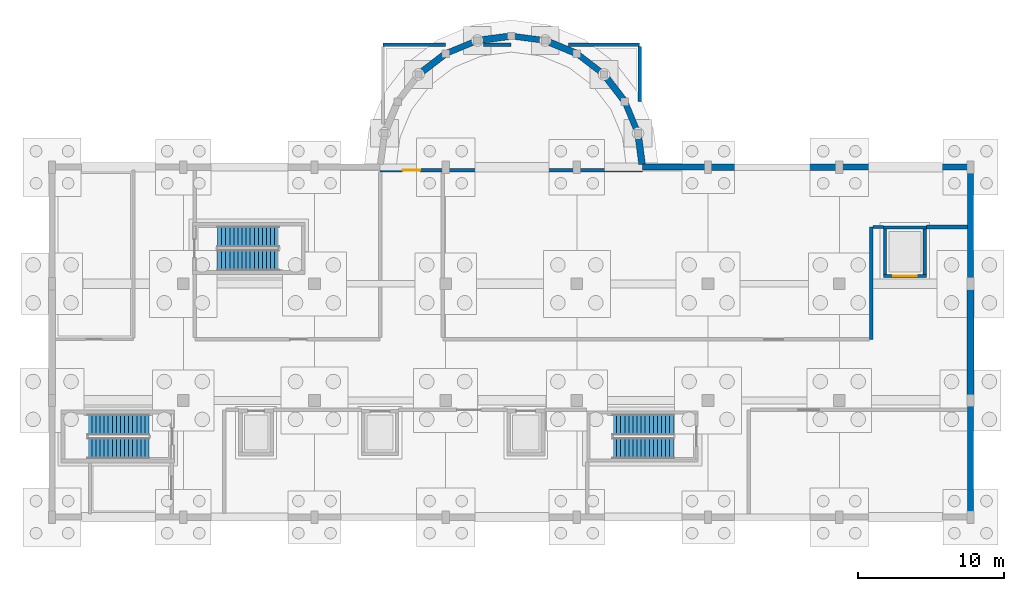
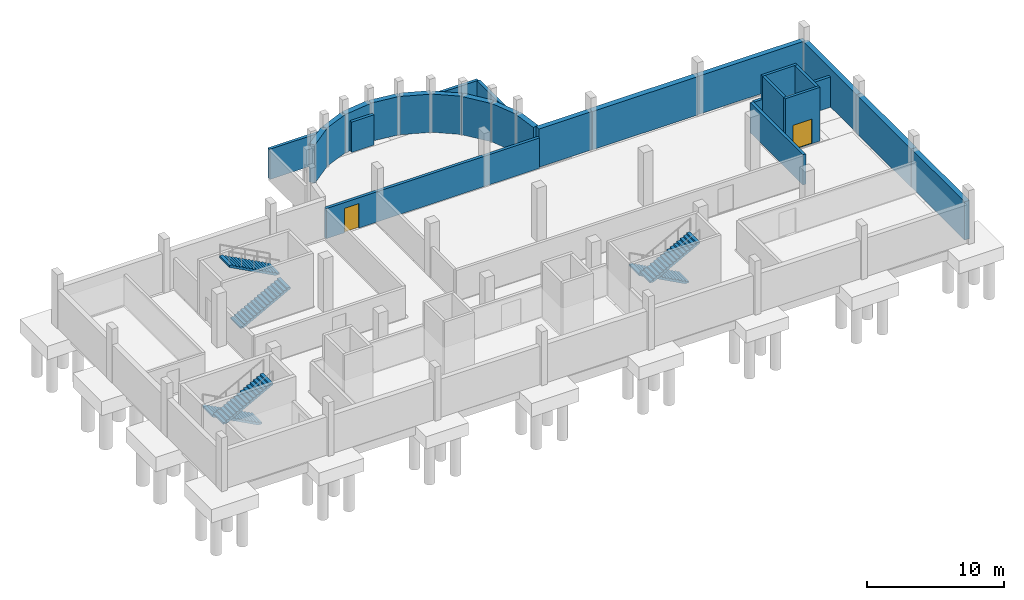
# One storey, part 5 of 10: 27 walls, 6 stair flights, 2 doors, 2 openings, 3 elements without a shape of their own.
"""IFC4 building model written with IfcOpenShell, lengths in metres."""

from ifc_helpers import new_model, si_unit, direction, frame, frame_2d, origin, place, context, subcontext, project, spatial, polyline, rectangle, outline, extrude, material, layer, layer_set, type_object, element, fill, aggregate, save


model = new_model("IFC4")

# Units and contexts
model_context = context("Model", 3, precision=1e-05, world=origin(), true_north=direction((0.0, 1.0)))
body_context = subcontext(model_context, "Body", "Model", "MODEL_VIEW")
ifc_project = project(units=[si_unit("LENGTHUNIT", "METRE"), si_unit("AREAUNIT", "SQUARE_METRE"), si_unit("VOLUMEUNIT", "CUBIC_METRE"), si_unit("PLANEANGLEUNIT", "RADIAN"), si_unit("MASSUNIT", "GRAM", prefix="KILO")], contexts=[model_context])

# Site, building, storey
site_placement = place(None, origin())
site = spatial("IfcSite", under=ifc_project, at=site_placement, CompositionType="ELEMENT")
building_placement = place(site_placement, origin())
building = spatial("IfcBuilding", under=site, at=building_placement, Name="Serraforn Aerial Cableway Station", CompositionType="ELEMENT")
storey_placement = place(building_placement, frame((0.0, 0.0, -4.800048828125)))
storey = spatial("IfcBuildingStorey", under=building, at=storey_placement, Name="B1", CompositionType="ELEMENT", Elevation=-4.800048828125)

# Wall, opening, door
ifc_material_1 = material(Name="Concrete C35/45", Category="concrete")
ifc_layer_1 = layer(ifc_material_1, 0.219970703125)
ifc_layer_set_1 = layer_set([ifc_layer_1], Name="Concrete C35/45")
wall_type_1 = type_object("IfcWallType", Name="WL-COR-220", PredefinedType="SHEAR", material=ifc_layer_set_1)
wall_1_placement = place(storey_placement, frame((84.6298828125, 34.5400390625, 0.0), z_axis=(0.0, 0.0, 1.0), x_axis=(1.0, 0.0, 0.0)))
wall_1 = element("IfcWall", 1, at=wall_1_placement, inside=storey, type_object=wall_type_1, Name="Lift Shaft Shear Wall WLFT-LF-05-B1-S", PredefinedType="SHEAR", context=body_context, shape_type="SweptSolid", body=[
    extrude(rectangle(XDim=2.940185546875, YDim=0.219970703125, at=frame_2d((1.47021484375, 0.0))), origin(), (0.0, 0.0, 1.0), 4.800048828125),
])
opening_1_placement = place(wall_1_placement, frame((0.669921875, 0.0, 0.0)))
opening_1 = element("IfcOpeningElement", 2, at=opening_1_placement, cuts=wall_1, Name="Opening LD-18", PredefinedType="OPENING", context=body_context, shape_type="SweptSolid", body=[
    extrude(rectangle(XDim=1.60009765625, YDim=2.199951171875, at=frame_2d((0.800048828125, 1.10009765625))), frame((0.0, 0.119873046875, 0.0), z_axis=(0.0, -1.0, 0.0), x_axis=(1.0, 0.0, 0.0)), (0.0, 0.0, 1.0), 0.239990234375),
])
ifc_material_2 = material(Name="Brushed stainless-steel sliding lift landing door", Category="steel")
door_type_1 = type_object("IfcDoorType", Name="DR-LIFT-160", OperationType="DOUBLE_DOOR_SLIDING", PredefinedType="DOOR", material=ifc_material_2)
door_1_placement = place(opening_1_placement, origin())
door_1 = element("IfcDoor", 3, at=door_1_placement, inside=storey, type_object=door_type_1, Name="Sliding Lift Landing Door LD-18 (LF-05 B1)", OperationType="DOUBLE_DOOR_SLIDING", OverallHeight=2.199951171875, OverallWidth=1.60009765625, PredefinedType="DOOR", context=body_context, shape_type="SweptSolid", body=[
    extrude(rectangle(XDim=1.60009765625, YDim=2.199951171875, at=frame_2d((0.800048828125, 1.10009765625))), frame((0.0, 0.02490234375, 0.0), z_axis=(0.0, -1.0, 0.0), x_axis=(1.0, 0.0, 0.0)), (0.0, 0.0, 1.0), 0.050048828125),
])
fill(opening_1, door_1)

# Walls
wall_2_placement = place(storey_placement, frame((84.6298828125, 37.860107421875, 0.0), z_axis=(0.0, 0.0, 1.0), x_axis=(1.0, 0.0, 0.0)))
element("IfcWall", 4, at=wall_2_placement, inside=storey, type_object=wall_type_1, Name="Lift Shaft Shear Wall WLFT-LF-05-B1-N", PredefinedType="SHEAR", context=body_context, shape_type="SweptSolid", body=[
    extrude(rectangle(XDim=2.940185546875, YDim=0.219970703125, at=frame_2d((1.47021484375, 0.0))), origin(), (0.0, 0.0, 1.0), 4.800048828125),
])
for number, where, z_axis, x_axis, name in (
    (5, (84.739990234375, 34.64990234375, 0.0), (0.0, 0.0, 1.0), (0.0, 1.0, 0.0), "Lift Shaft Shear Wall WLFT-LF-05-B1-W"),
    (6, (87.4599609375, 34.64990234375, 0.0), (0.0, 0.0, 1.0), (0.0, 1.0, 0.0), "Lift Shaft Shear Wall WLFT-LF-05-B1-E"),
):
    element("IfcWall", number, at=place(storey_placement, frame(where, z_axis=z_axis, x_axis=x_axis)), inside=storey, type_object=wall_type_1, Name=name, PredefinedType="SHEAR", context=body_context, shape_type="SweptSolid", body=[
        extrude(rectangle(XDim=3.10009765625, YDim=0.219970703125, at=frame_2d((1.550048828125, 0.0))), origin(), (0.0, 0.0, 1.0), 4.800048828125),
    ])
ifc_material_3 = material(Name="Concrete C30/37", Category="concrete")
ifc_layer_2 = layer(ifc_material_3, 0.241943359375)
ifc_layer_set_2 = layer_set([ifc_layer_2], Name="Concrete C30/37")
wall_type_2 = type_object("IfcWallType", Name="WL-FIR-242", PredefinedType="SOLIDWALL", material=ifc_layer_set_2)
wall_3_placement = place(storey_placement, frame((50.300048828125, 50.39990234375, 0.0), z_axis=(0.0, 0.0, 1.0), x_axis=(1.0, 0.0, 0.0)))
element("IfcWall", 7, at=wall_3_placement, inside=storey, type_object=wall_type_2, Name="Interior Partition WPRT-B1-08-8", PredefinedType="SOLIDWALL", context=body_context, shape_type="SweptSolid", body=[
    extrude(rectangle(XDim=4.280029296875, YDim=0.241943359375, at=frame_2d((2.14013671875, 0.0))), origin(), (0.0, 0.0, 1.0), 2.699951171875),
])
wall_4_placement = place(storey_placement, frame((63.031494140625, 50.39990234375, 0.0), z_axis=(0.0, 0.0, 1.0), x_axis=(1.0, 0.0, 0.0)))
element("IfcWall", 8, at=wall_4_placement, inside=storey, type_object=wall_type_2, Name="Interior Partition WPRT-B1-08-10", PredefinedType="SOLIDWALL", context=body_context, shape_type="SweptSolid", body=[
    extrude(rectangle(XDim=4.868408203125, YDim=0.241943359375, at=frame_2d((2.43408203125, 0.0))), origin(), (0.0, 0.0, 1.0), 2.699951171875),
])

# Wall, opening, door
wall_5_placement = place(storey_placement, frame((68.09912109375, 41.800048828125, 0.0), z_axis=(0.0, 0.0, 1.0), x_axis=(-1.0, 0.0, 0.0)))
wall_5 = element("IfcWall", 9, at=wall_5_placement, inside=storey, type_object=wall_type_2, Name="Interior Partition WPRT-B1-08-12", PredefinedType="SOLIDWALL", context=body_context, shape_type="SweptSolid", body=[
    extrude(rectangle(XDim=17.9990234375, YDim=0.241943359375, at=frame_2d((8.99951171875, 0.0))), origin(), (0.0, 0.0, 1.0), 2.699951171875),
])
opening_2_placement = place(wall_5_placement, frame((15.2490234375, 0.0, 0.0)))
opening_2 = element("IfcOpeningElement", 10, at=opening_2_placement, cuts=wall_5, Name="Opening DI-003", PredefinedType="OPENING", context=body_context, shape_type="SweptSolid", body=[
    extrude(rectangle(XDim=1.199951171875, YDim=2.179931640625, at=frame_2d((0.60009765625, 1.08984375))), frame((0.0, 0.130859375, 0.0), z_axis=(0.0, -1.0, 0.0), x_axis=(1.0, 0.0, 0.0)), (0.0, 0.0, 1.0), 0.261962890625),
])
ifc_material_4 = material(Name="Fire-rated steel-core acoustic leaf", Category="steel")
door_type_2 = type_object("IfcDoorType", Name="DR-INT-120", OperationType="NOTDEFINED", PredefinedType="DOOR", material=ifc_material_4)
door_2_placement = place(opening_2_placement, origin())
door_2 = element("IfcDoor", 11, at=door_2_placement, inside=storey, type_object=door_type_2, Name="Room Door DI-003 (B1-08)", OperationType="SINGLE_SWING_RIGHT", OverallHeight=2.179931640625, OverallWidth=1.199951171875, PredefinedType="DOOR", context=body_context, shape_type="SweptSolid", body=[
    extrude(rectangle(XDim=1.199951171875, YDim=2.179931640625, at=frame_2d((0.60009765625, 1.08984375))), frame((0.0, 0.02490234375, 0.0), z_axis=(0.0, -1.0, 0.0), x_axis=(1.0, 0.0, 0.0)), (0.0, 0.0, 1.0), 0.050048828125),
])
fill(opening_2, door_2)

# Walls
wall_6_placement = place(storey_placement, frame((90.39404296875, 37.89990234375, 0.0), z_axis=(0.0, 0.0, 1.0), x_axis=(-1.0, 0.0, 0.0)))
element("IfcWall", 12, at=wall_6_placement, inside=storey, type_object=wall_type_2, Name="Interior Partition WPRT-B1-02-14", PredefinedType="SOLIDWALL", context=body_context, shape_type="SweptSolid", body=[
    extrude(rectangle(XDim=2.822998046875, YDim=0.241943359375, at=frame_2d((1.41162109375, 0.0))), origin(), (0.0, 0.0, 1.0), 2.699951171875),
])
wall_7_placement = place(storey_placement, frame((83.800048828125, 37.89990234375, 0.0), z_axis=(0.0, 0.0, 1.0), x_axis=(0.0, -1.0, 0.0)))
element("IfcWall", 13, at=wall_7_placement, inside=storey, type_object=wall_type_2, Name="Interior Partition WPRT-B1-02-16", PredefinedType="SOLIDWALL", context=body_context, shape_type="SweptSolid", body=[
    extrude(rectangle(XDim=7.699951171875, YDim=0.241943359375, at=frame_2d((3.85009765625, 0.0))), origin(), (0.0, 0.0, 1.0), 2.699951171875),
])
ifc_material_5 = material(Name="Acoustic masonry blockwork", Category="masonry")
ifc_layer_3 = layer(ifc_material_5, 0.235107421875)
ifc_layer_set_3 = layer_set([ifc_layer_3], Name="Acoustic masonry blockwork")
wall_type_3 = type_object("IfcWallType", Name="WL-PRT-235", PredefinedType="PARTITIONING", material=ifc_layer_set_3)
wall_8_placement = place(storey_placement, frame((57.1982421875, 50.39990234375, 0.0), z_axis=(0.0, 0.0, 1.0), x_axis=(1.0, 0.0, 0.0)))
element("IfcWall", 14, at=wall_8_placement, inside=storey, type_object=wall_type_3, Name="Interior Partition WPRT-B1-08-9", PredefinedType="PARTITIONING", context=body_context, shape_type="SweptSolid", body=[
    extrude(rectangle(XDim=1.8818359375, YDim=0.235107421875, at=frame_2d((0.94091796875, 0.0))), origin(), (0.0, 0.0, 1.0), 2.699951171875),
])
wall_9_placement = place(storey_placement, frame((67.89990234375, 50.278076171875, 0.0), z_axis=(0.0, 0.0, 1.0), x_axis=(0.0, -1.0, 0.0)))
element("IfcWall", 15, at=wall_9_placement, inside=storey, type_object=wall_type_3, Name="Interior Partition WPRT-B1-08-11", PredefinedType="PARTITIONING", context=body_context, shape_type="SweptSolid", body=[
    extrude(rectangle(XDim=3.758056640625, YDim=0.235107421875, at=frame_2d((1.87890625, 0.0))), origin(), (0.0, 0.0, 1.0), 2.699951171875),
])
wall_10_placement = place(storey_placement, frame((84.62890625, 37.89990234375, 0.0), z_axis=(0.0, 0.0, 1.0), x_axis=(-1.0, 0.0, 0.0)))
element("IfcWall", 16, at=wall_10_placement, inside=storey, type_object=wall_type_3, Name="Interior Partition WPRT-B1-02-15", PredefinedType="PARTITIONING", context=body_context, shape_type="SweptSolid", body=[
    extrude(rectangle(XDim=0.706787109375, YDim=0.235107421875, at=frame_2d((0.353515625, 0.0))), origin(), (0.0, 0.0, 1.0), 2.699951171875),
])
ifc_layer_4 = layer(ifc_material_1, 0.409912109375)
ifc_layer_set_4 = layer_set([ifc_layer_4], Name="Concrete C35/45")
wall_type_4 = type_object("IfcWallType", Name="WL-RET-410", PredefinedType="USERDEFINED", material=ifc_layer_set_4)
wall_11_placement = place(storey_placement, frame((72.60009765625, 42.0, 0.0), z_axis=(0.0, 0.0, 1.0), x_axis=(-1.0, 0.0, 0.0)))
element("IfcWall", 17, at=wall_11_placement, inside=storey, type_object=wall_type_4, Name="Exterior Wall WRET-CV-B1-N5", ObjectType="RETAININGWALL", PredefinedType="USERDEFINED", context=body_context, shape_type="SweptSolid", body=[
    extrude(rectangle(XDim=4.5, YDim=0.409912109375, at=frame_2d((2.25, 0.0))), origin(), (0.0, 0.0, 1.0), 3.420166015625),
])
wall_12_placement = place(storey_placement, frame((90.60009765625, 42.0, 0.0), z_axis=(0.0, 0.0, 1.0), x_axis=(-1.0, 0.0, 0.0)))
element("IfcWall", 18, at=wall_12_placement, inside=storey, type_object=wall_type_4, Name="Exterior Wall WRET-CV-B1-N7", ObjectType="RETAININGWALL", PredefinedType="USERDEFINED", context=body_context, shape_type="SweptSolid", body=[
    extrude(rectangle(XDim=9.0, YDim=0.409912109375, at=frame_2d((4.5, 0.0))), origin(), (0.0, 0.0, 1.0), 3.420166015625),
])
for number, where, z_axis, x_axis, name in (
    (19, (90.60009765625, 18.2060546875, 0.0), (0.0, 0.0, 1.0), (0.0, 1.0, 0.0), "Exterior Wall WRET-CV-B1-E1"),
    (20, (90.60009765625, 34.0, 0.0), (0.0, 0.0, 1.0), (0.0, 1.0, 0.0), "Exterior Wall WRET-CV-B1-E3"),
):
    element("IfcWall", number, at=place(storey_placement, frame(where, z_axis=z_axis, x_axis=x_axis)), inside=storey, type_object=wall_type_4, Name=name, ObjectType="RETAININGWALL", PredefinedType="USERDEFINED", context=body_context, shape_type="SweptSolid", body=[
        extrude(rectangle(XDim=7.7939453125, YDim=0.409912109375, at=frame_2d((3.89697265625, 0.0))), origin(), (0.0, 0.0, 1.0), 3.420166015625),
    ])
wall_13_placement = place(storey_placement, frame((56.718994140625, 50.671875, 0.0), z_axis=(0.0, 0.0, 1.0), x_axis=(-0.923901149936, -0.382631239115, 0.0)))
element("IfcWall", 21, at=wall_13_placement, inside=storey, type_object=wall_type_4, Name="Exterior Wall WRET-AP-B1-R5", ObjectType="RETAININGWALL", PredefinedType="USERDEFINED", context=body_context, shape_type="SweptSolid", body=[
    extrude(rectangle(XDim=2.237548828125, YDim=0.409912109375, at=frame_2d((1.11865234375, 0.0))), origin(), (0.0, 0.0, 1.0), 3.420166015625),
])
wall_14_placement = place(storey_placement, frame((61.429443359375, 50.693359375, 0.0), z_axis=(0.0, 0.0, 1.0), x_axis=(-0.991447772701, 0.130504076587, 0.0)))
element("IfcWall", 22, at=wall_14_placement, inside=storey, type_object=wall_type_4, Name="Exterior Wall WRET-AP-B1-R7", ObjectType="RETAININGWALL", PredefinedType="USERDEFINED", context=body_context, shape_type="SweptSolid", body=[
    extrude(rectangle(XDim=2.29345703125, YDim=0.409912109375, at=frame_2d((1.146728515625, 0.0))), origin(), (0.0, 0.0, 1.0), 3.420166015625),
])
wall_15_placement = place(storey_placement, frame((65.419677734375, 48.398193359375, 0.0), z_axis=(0.0, 0.0, 1.0), x_axis=(-0.793406128446, 0.60869262797, 0.0)))
element("IfcWall", 23, at=wall_15_placement, inside=storey, type_object=wall_type_4, Name="Exterior Wall WRET-AP-B1-R9", ObjectType="RETAININGWALL", PredefinedType="USERDEFINED", context=body_context, shape_type="SweptSolid", body=[
    extrude(rectangle(XDim=2.23779296875, YDim=0.409912109375, at=frame_2d((1.118896484375, 0.0))), origin(), (0.0, 0.0, 1.0), 3.420166015625),
])
wall_16_placement = place(storey_placement, frame((67.77197265625, 44.381103515625, 0.0), z_axis=(0.0, 0.0, 1.0), x_axis=(-0.38276294439, 0.923846593543, 0.0)))
element("IfcWall", 24, at=wall_16_placement, inside=storey, type_object=wall_type_4, Name="Exterior Wall WRET-AP-B1-R11", ObjectType="RETAININGWALL", PredefinedType="USERDEFINED", context=body_context, shape_type="SweptSolid", body=[
    extrude(rectangle(XDim=2.237548828125, YDim=0.409912109375, at=frame_2d((1.11865234375, 0.0))), origin(), (0.0, 0.0, 1.0), 3.420166015625),
])
ifc_layer_5 = layer(ifc_material_1, 0.4599609375)
ifc_layer_set_5 = layer_set([ifc_layer_5], Name="Concrete C35/45")
wall_type_5 = type_object("IfcWallType", Name="WL-RET-460", PredefinedType="USERDEFINED", material=ifc_layer_set_5)
wall_17_placement = place(storey_placement, frame((81.60009765625, 42.0, 0.0), z_axis=(0.0, 0.0, 1.0), x_axis=(-1.0, 0.0, 0.0)))
element("IfcWall", 25, at=wall_17_placement, inside=storey, type_object=wall_type_5, Name="Exterior Wall WRET-CV-B1-N6", ObjectType="RETAININGWALL", PredefinedType="USERDEFINED", context=body_context, shape_type="SweptSolid", body=[
    extrude(rectangle(XDim=9.0, YDim=0.4599609375, at=frame_2d((4.5, 0.0))), origin(), (0.0, 0.0, 1.0), 3.420166015625),
])
wall_18_placement = place(storey_placement, frame((90.60009765625, 26.0, 0.0), z_axis=(0.0, 0.0, 1.0), x_axis=(0.0, 1.0, 0.0)))
element("IfcWall", 26, at=wall_18_placement, inside=storey, type_object=wall_type_5, Name="Exterior Wall WRET-CV-B1-E2", ObjectType="RETAININGWALL", PredefinedType="USERDEFINED", context=body_context, shape_type="SweptSolid", body=[
    extrude(rectangle(XDim=8.0, YDim=0.4599609375, at=frame_2d((4.0, 0.0))), origin(), (0.0, 0.0, 1.0), 3.420166015625),
])
wall_19_placement = place(storey_placement, frame((54.60009765625, 49.794189453125, 0.0), z_axis=(0.0, 0.0, 1.0), x_axis=(-0.793418022763, -0.608677123897, 0.0)))
element("IfcWall", 27, at=wall_19_placement, inside=storey, type_object=wall_type_5, Name="Exterior Wall WRET-AP-B1-R4", ObjectType="RETAININGWALL", PredefinedType="USERDEFINED", context=body_context, shape_type="SweptSolid", body=[
    extrude(rectangle(XDim=2.29541015625, YDim=0.4599609375, at=frame_2d((1.147705078125, 0.0))), origin(), (0.0, 0.0, 1.0), 3.420166015625),
])
wall_20_placement = place(storey_placement, frame((59.10009765625, 51.0, 0.0), z_axis=(0.0, 0.0, 1.0), x_axis=(-0.991447928588, -0.130502892298, 0.0)))
element("IfcWall", 28, at=wall_20_placement, inside=storey, type_object=wall_type_5, Name="Exterior Wall WRET-AP-B1-R6", ObjectType="RETAININGWALL", PredefinedType="USERDEFINED", context=body_context, shape_type="SweptSolid", body=[
    extrude(rectangle(XDim=2.349609375, YDim=0.4599609375, at=frame_2d((1.1748046875, 0.0))), origin(), (0.0, 0.0, 1.0), 3.420166015625),
])
wall_21_placement = place(storey_placement, frame((63.60009765625, 49.794189453125, 0.0), z_axis=(0.0, 0.0, 1.0), x_axis=(-0.923889805527, 0.38265863017, 0.0)))
element("IfcWall", 29, at=wall_21_placement, inside=storey, type_object=wall_type_5, Name="Exterior Wall WRET-AP-B1-R8", ObjectType="RETAININGWALL", PredefinedType="USERDEFINED", context=body_context, shape_type="SweptSolid", body=[
    extrude(rectangle(XDim=2.295654296875, YDim=0.4599609375, at=frame_2d((1.14794921875, 0.0))), origin(), (0.0, 0.0, 1.0), 3.420166015625),
])
wall_22_placement = place(storey_placement, frame((66.894287109375, 46.5, 0.0), z_axis=(0.0, 0.0, 1.0), x_axis=(-0.608726008534, 0.793380518121, 0.0)))
element("IfcWall", 30, at=wall_22_placement, inside=storey, type_object=wall_type_5, Name="Exterior Wall WRET-AP-B1-R10", ObjectType="RETAININGWALL", PredefinedType="USERDEFINED", context=body_context, shape_type="SweptSolid", body=[
    extrude(rectangle(XDim=2.349365234375, YDim=0.4599609375, at=frame_2d((1.1748046875, 0.0))), origin(), (0.0, 0.0, 1.0), 3.420166015625),
])
wall_23_placement = place(storey_placement, frame((68.0732421875, 42.202392578125, 0.0), z_axis=(0.0, 0.0, 1.0), x_axis=(-0.130531051673, 0.991444221603, 0.0)))
element("IfcWall", 31, at=wall_23_placement, inside=storey, type_object=wall_type_5, Name="Exterior Wall WRET-AP-B1-R12", ObjectType="RETAININGWALL", PredefinedType="USERDEFINED", context=body_context, shape_type="SweptSolid", body=[
    extrude(rectangle(XDim=2.145263671875, YDim=0.4599609375, at=frame_2d((1.07275390625, 0.0))), origin(), (0.0, 0.0, 1.0), 3.420166015625),
])

# Stair, stair flights
stair_type_1 = type_object("IfcStairType", Name="STR-DL-1", PredefinedType="HALF_TURN_STAIR", material=ifc_material_1)
stair_1_placement = place(storey_placement, origin())
stair_1 = element("IfcStair", 32, at=stair_1_placement, inside=storey, type_object=stair_type_1, Name="B1 Vault West Protected Exit Stair 3", PredefinedType="HALF_TURN_STAIR")
stair_flight_type_1 = type_object("IfcStairFlightType", Name="SFL-DL-1", PredefinedType="STRAIGHT", material=ifc_material_1)
stair_flight_1_placement = place(storey_placement, frame((34.25, 24.3349609375, 0.0), z_axis=(0.0, 0.0, 1.0), x_axis=(-1.0, 0.0, 0.0)))
stair_flight_1 = element("IfcStairFlight", 33, at=stair_flight_1_placement, type_object=stair_flight_type_1, Name="ST-03 flight 1", NumberOfRisers=16, NumberOfTreads=15, PredefinedType="STRAIGHT", RiserHeight=0.15, TreadLength=0.28, context=body_context, shape_type="SweptSolid", body=[
    extrude(outline(polyline([(0.0, 0.0), (0.0, 0.14990234375), (0.280029296875, 0.14990234375), (0.280029296875, 0.300048828125), (0.56005859375, 0.300048828125), (0.56005859375, 0.449951171875), (0.840087890625, 0.449951171875), (0.840087890625, 0.60009765625), (1.1201171875, 0.60009765625), (1.1201171875, 0.75), (1.39990234375, 0.75), (1.39990234375, 0.89990234375), (1.679931640625, 0.89990234375), (1.679931640625, 1.050048828125), (1.9599609375, 1.050048828125), (1.9599609375, 1.199951171875), (2.239990234375, 1.199951171875), (2.239990234375, 1.35009765625), (2.52001953125, 1.35009765625), (2.52001953125, 1.5), (2.800048828125, 1.5), (2.800048828125, 1.64990234375), (3.080078125, 1.64990234375), (3.080078125, 1.800048828125), (3.360107421875, 1.800048828125), (3.360107421875, 1.949951171875), (3.639892578125, 1.949951171875), (3.639892578125, 2.10009765625), (3.919921875, 2.10009765625), (3.919921875, 2.25), (4.199951171875, 2.25), (4.199951171875, 2.39990234375), (4.199951171875, 2.079833984375), (0.3173828125, 0.0), (0.0, 0.0)])), frame((0.0, 0.72509765625, 0.0), z_axis=(0.0, -1.0, 0.0), x_axis=(1.0, 0.0, 0.0)), (0.0, 0.0, 1.0), 1.449951171875),
])
stair_flight_2_placement = place(storey_placement, frame((30.050048828125, 22.72509765625, 2.400146484375), z_axis=(0.0, 0.0, 1.0), x_axis=(1.0, 0.0, 0.0)))
stair_flight_2 = element("IfcStairFlight", 34, at=stair_flight_2_placement, type_object=stair_flight_type_1, Name="ST-03 flight 2", NumberOfRisers=16, NumberOfTreads=15, PredefinedType="STRAIGHT", RiserHeight=0.15, TreadLength=0.28, context=body_context, shape_type="SweptSolid", body=[
    extrude(outline(polyline([(0.0, 0.0), (0.0, 0.14990234375), (0.280029296875, 0.14990234375), (0.280029296875, 0.300048828125), (0.56005859375, 0.300048828125), (0.56005859375, 0.449951171875), (0.840087890625, 0.449951171875), (0.840087890625, 0.60009765625), (1.1201171875, 0.60009765625), (1.1201171875, 0.75), (1.39990234375, 0.75), (1.39990234375, 0.89990234375), (1.679931640625, 0.89990234375), (1.679931640625, 1.050048828125), (1.9599609375, 1.050048828125), (1.9599609375, 1.199951171875), (2.239990234375, 1.199951171875), (2.239990234375, 1.35009765625), (2.52001953125, 1.35009765625), (2.52001953125, 1.5), (2.800048828125, 1.5), (2.800048828125, 1.64990234375), (3.080078125, 1.64990234375), (3.080078125, 1.800048828125), (3.360107421875, 1.800048828125), (3.360107421875, 1.949951171875), (3.639892578125, 1.949951171875), (3.639892578125, 2.10009765625), (3.919921875, 2.10009765625), (3.919921875, 2.25), (4.199951171875, 2.25), (4.199951171875, 2.39990234375), (4.199951171875, 2.079833984375), (0.3173828125, 0.0), (0.0, 0.0)])), frame((0.0, 0.72509765625, 0.0), z_axis=(0.0, -1.0, 0.0), x_axis=(1.0, 0.0, 0.0)), (0.0, 0.0, 1.0), 1.449951171875),
])
aggregate(stair_1, [stair_flight_1, stair_flight_2])

stair_type_2 = type_object("IfcStairType", Name="STR-DL-2", PredefinedType="HALF_TURN_STAIR", material=ifc_material_1)
stair_2_placement = place(storey_placement, origin())
stair_2 = element("IfcStair", 35, at=stair_2_placement, inside=storey, type_object=stair_type_2, Name="B1 Vault Central West Exit Stair 4", PredefinedType="HALF_TURN_STAIR")
stair_flight_type_2 = type_object("IfcStairFlightType", Name="SFL-DL-2", PredefinedType="STRAIGHT", material=ifc_material_1)
stair_flight_3_placement = place(storey_placement, frame((38.949951171875, 35.625, 0.0), z_axis=(0.0, 0.0, 1.0), x_axis=(1.0, 0.0, 0.0)))
stair_flight_3 = element("IfcStairFlight", 36, at=stair_flight_3_placement, type_object=stair_flight_type_2, Name="ST-04 flight 1", NumberOfRisers=16, NumberOfTreads=15, PredefinedType="STRAIGHT", RiserHeight=0.15, TreadLength=0.28, context=body_context, shape_type="SweptSolid", body=[
    extrude(outline(polyline([(0.0, 0.0), (0.0, 0.14990234375), (0.280029296875, 0.14990234375), (0.280029296875, 0.300048828125), (0.56005859375, 0.300048828125), (0.56005859375, 0.449951171875), (0.840087890625, 0.449951171875), (0.840087890625, 0.60009765625), (1.1201171875, 0.60009765625), (1.1201171875, 0.75), (1.39990234375, 0.75), (1.39990234375, 0.89990234375), (1.679931640625, 0.89990234375), (1.679931640625, 1.050048828125), (1.9599609375, 1.050048828125), (1.9599609375, 1.199951171875), (2.239990234375, 1.199951171875), (2.239990234375, 1.35009765625), (2.52001953125, 1.35009765625), (2.52001953125, 1.5), (2.800048828125, 1.5), (2.800048828125, 1.64990234375), (3.080078125, 1.64990234375), (3.080078125, 1.800048828125), (3.360107421875, 1.800048828125), (3.360107421875, 1.949951171875), (3.639892578125, 1.949951171875), (3.639892578125, 2.10009765625), (3.919921875, 2.10009765625), (3.919921875, 2.25), (4.199951171875, 2.25), (4.199951171875, 2.39990234375), (4.199951171875, 2.079833984375), (0.3173828125, 0.0), (0.0, 0.0)])), frame((0.0, 0.72509765625, 0.0), z_axis=(0.0, -1.0, 0.0), x_axis=(1.0, 0.0, 0.0)), (0.0, 0.0, 1.0), 1.449951171875),
])
stair_flight_4_placement = place(storey_placement, frame((43.14990234375, 37.235107421875, 2.400146484375), z_axis=(0.0, 0.0, 1.0), x_axis=(-1.0, 0.0, 0.0)))
stair_flight_4 = element("IfcStairFlight", 37, at=stair_flight_4_placement, type_object=stair_flight_type_2, Name="ST-04 flight 2", NumberOfRisers=16, NumberOfTreads=15, PredefinedType="STRAIGHT", RiserHeight=0.15, TreadLength=0.28, context=body_context, shape_type="SweptSolid", body=[
    extrude(outline(polyline([(0.0, 0.0), (0.0, 0.14990234375), (0.280029296875, 0.14990234375), (0.280029296875, 0.300048828125), (0.56005859375, 0.300048828125), (0.56005859375, 0.449951171875), (0.840087890625, 0.449951171875), (0.840087890625, 0.60009765625), (1.1201171875, 0.60009765625), (1.1201171875, 0.75), (1.39990234375, 0.75), (1.39990234375, 0.89990234375), (1.679931640625, 0.89990234375), (1.679931640625, 1.050048828125), (1.9599609375, 1.050048828125), (1.9599609375, 1.199951171875), (2.239990234375, 1.199951171875), (2.239990234375, 1.35009765625), (2.52001953125, 1.35009765625), (2.52001953125, 1.5), (2.800048828125, 1.5), (2.800048828125, 1.64990234375), (3.080078125, 1.64990234375), (3.080078125, 1.800048828125), (3.360107421875, 1.800048828125), (3.360107421875, 1.949951171875), (3.639892578125, 1.949951171875), (3.639892578125, 2.10009765625), (3.919921875, 2.10009765625), (3.919921875, 2.25), (4.199951171875, 2.25), (4.199951171875, 2.39990234375), (4.199951171875, 2.079833984375), (0.3173828125, 0.0), (0.0, 0.0)])), frame((0.0, 0.72509765625, 0.0), z_axis=(0.0, -1.0, 0.0), x_axis=(1.0, 0.0, 0.0)), (0.0, 0.0, 1.0), 1.449951171875),
])
aggregate(stair_2, [stair_flight_3, stair_flight_4])

stair_type_3 = type_object("IfcStairType", Name="STR-DL-3", PredefinedType="HALF_TURN_STAIR", material=ifc_material_1)
stair_3_placement = place(storey_placement, origin())
stair_3 = element("IfcStair", 38, at=stair_3_placement, inside=storey, type_object=stair_type_3, Name="B1 Vault Central East Exit Stair 5", PredefinedType="HALF_TURN_STAIR")
stair_flight_type_3 = type_object("IfcStairFlightType", Name="SFL-DL-3", PredefinedType="STRAIGHT", material=ifc_material_1)
stair_flight_5_placement = place(storey_placement, frame((70.25, 24.3349609375, 0.0), z_axis=(0.0, 0.0, 1.0), x_axis=(-1.0, 0.0, 0.0)))
stair_flight_5 = element("IfcStairFlight", 39, at=stair_flight_5_placement, type_object=stair_flight_type_3, Name="ST-05 flight 1", NumberOfRisers=16, NumberOfTreads=15, PredefinedType="STRAIGHT", RiserHeight=0.15, TreadLength=0.28, context=body_context, shape_type="SweptSolid", body=[
    extrude(outline(polyline([(0.0, 0.0), (0.0, 0.14990234375), (0.280029296875, 0.14990234375), (0.280029296875, 0.300048828125), (0.56005859375, 0.300048828125), (0.56005859375, 0.449951171875), (0.840087890625, 0.449951171875), (0.840087890625, 0.60009765625), (1.1201171875, 0.60009765625), (1.1201171875, 0.75), (1.39990234375, 0.75), (1.39990234375, 0.89990234375), (1.679931640625, 0.89990234375), (1.679931640625, 1.050048828125), (1.9599609375, 1.050048828125), (1.9599609375, 1.199951171875), (2.239990234375, 1.199951171875), (2.239990234375, 1.35009765625), (2.52001953125, 1.35009765625), (2.52001953125, 1.5), (2.800048828125, 1.5), (2.800048828125, 1.64990234375), (3.080078125, 1.64990234375), (3.080078125, 1.800048828125), (3.360107421875, 1.800048828125), (3.360107421875, 1.949951171875), (3.639892578125, 1.949951171875), (3.639892578125, 2.10009765625), (3.919921875, 2.10009765625), (3.919921875, 2.25), (4.199951171875, 2.25), (4.199951171875, 2.39990234375), (4.199951171875, 2.079833984375), (0.3173828125, 0.0), (0.0, 0.0)])), frame((0.0, 0.72509765625, 0.0), z_axis=(0.0, -1.0, 0.0), x_axis=(1.0, 0.0, 0.0)), (0.0, 0.0, 1.0), 1.449951171875),
])
stair_flight_6_placement = place(storey_placement, frame((66.050048828125, 22.72509765625, 2.400146484375), z_axis=(0.0, 0.0, 1.0), x_axis=(1.0, 0.0, 0.0)))
stair_flight_6 = element("IfcStairFlight", 40, at=stair_flight_6_placement, type_object=stair_flight_type_3, Name="ST-05 flight 2", NumberOfRisers=16, NumberOfTreads=15, PredefinedType="STRAIGHT", RiserHeight=0.15, TreadLength=0.28, context=body_context, shape_type="SweptSolid", body=[
    extrude(outline(polyline([(0.0, 0.0), (0.0, 0.14990234375), (0.280029296875, 0.14990234375), (0.280029296875, 0.300048828125), (0.56005859375, 0.300048828125), (0.56005859375, 0.449951171875), (0.840087890625, 0.449951171875), (0.840087890625, 0.60009765625), (1.1201171875, 0.60009765625), (1.1201171875, 0.75), (1.39990234375, 0.75), (1.39990234375, 0.89990234375), (1.679931640625, 0.89990234375), (1.679931640625, 1.050048828125), (1.9599609375, 1.050048828125), (1.9599609375, 1.199951171875), (2.239990234375, 1.199951171875), (2.239990234375, 1.35009765625), (2.52001953125, 1.35009765625), (2.52001953125, 1.5), (2.800048828125, 1.5), (2.800048828125, 1.64990234375), (3.080078125, 1.64990234375), (3.080078125, 1.800048828125), (3.360107421875, 1.800048828125), (3.360107421875, 1.949951171875), (3.639892578125, 1.949951171875), (3.639892578125, 2.10009765625), (3.919921875, 2.10009765625), (3.919921875, 2.25), (4.199951171875, 2.25), (4.199951171875, 2.39990234375), (4.199951171875, 2.079833984375), (0.3173828125, 0.0), (0.0, 0.0)])), frame((0.0, 0.72509765625, 0.0), z_axis=(0.0, -1.0, 0.0), x_axis=(1.0, 0.0, 0.0)), (0.0, 0.0, 1.0), 1.449951171875),
])
aggregate(stair_3, [stair_flight_5, stair_flight_6])

save(model, "model.ifc")
